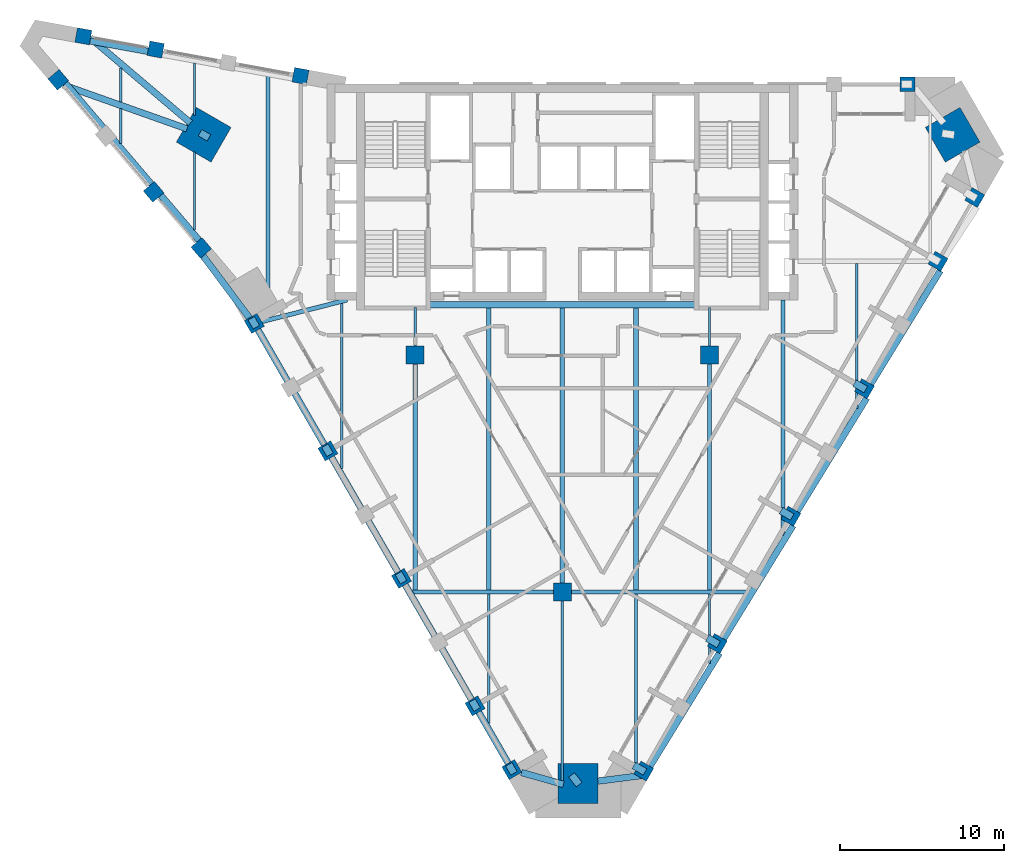
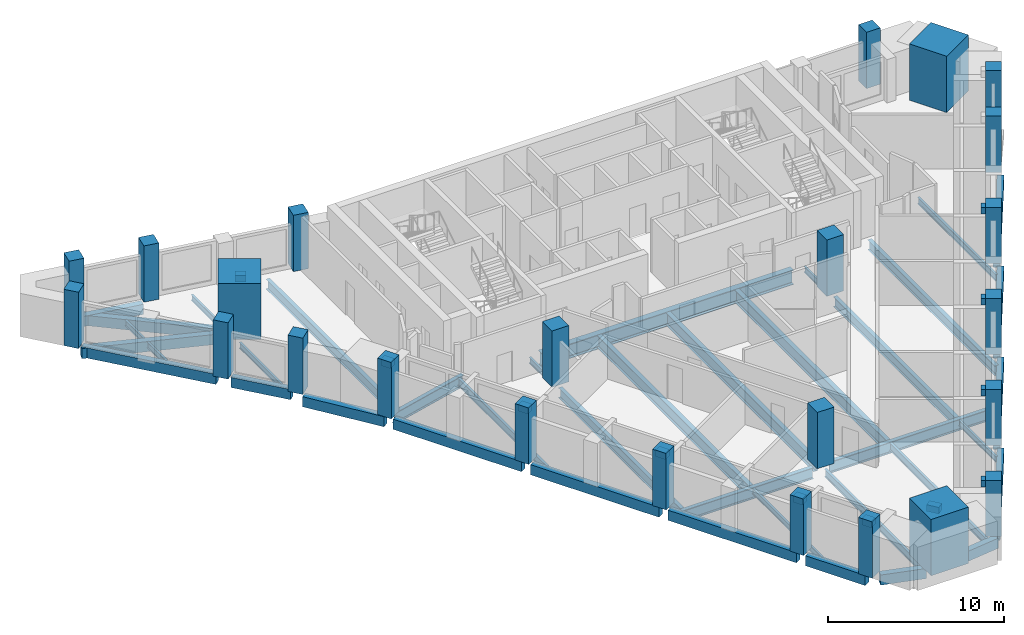
# One storey, part 1 of 9: 50 beams, 24 columns.
"""IFC4 building model written with IfcOpenShell, lengths in metres."""

from ifc_helpers import new_model, si_unit, direction, frame, origin, origin_2d, place, context, subcontext, project, spatial, rectangle, i_section, extrude, material, material_profile, profile_set, type_object, element, save


model = new_model("IFC4")

# Units and contexts
model_context = context("Model", 3, precision=1e-05, world=origin(), true_north=direction((0.0, 1.0)))
body_context = subcontext(model_context, "Body", "Model", "MODEL_VIEW")
ifc_project = project(units=[si_unit("LENGTHUNIT", "METRE"), si_unit("AREAUNIT", "SQUARE_METRE"), si_unit("VOLUMEUNIT", "CUBIC_METRE"), si_unit("PLANEANGLEUNIT", "RADIAN"), si_unit("MASSUNIT", "GRAM", prefix="KILO")], contexts=[model_context])

# Site, building, storey
site_placement = place(None, origin())
site = spatial("IfcSite", under=ifc_project, at=site_placement, CompositionType="ELEMENT")
building_placement = place(site_placement, origin())
building = spatial("IfcBuilding", under=site, at=building_placement, Name="Calabash Gate Tower", CompositionType="ELEMENT")
storey_placement = place(building_placement, frame((0.0, 0.0, 215.89990234375)))
storey = spatial("IfcBuildingStorey", under=building, at=storey_placement, Name="L51", CompositionType="ELEMENT", Elevation=215.89990234375)

# Columns
ifc_material_1 = material(Name="Concrete C60/75", Category="concrete")
ifc_material_profile_1 = material_profile(ifc_material_1, rectangle(XDim=1.10009765625, YDim=1.10009765625, at=origin_2d()))
ifc_profile_set_1 = profile_set([ifc_material_profile_1], Name="Concrete C60/75")
column_type_1 = type_object("IfcColumnType", Name="Interior column RC 1100x1100 Concrete C60/75", PredefinedType="COLUMN", material=ifc_profile_set_1)
for number, where, z_axis, x_axis, name in (
    (1, (-9.0, 2.5, 0.0), (0.0, 0.0, 1.0), (1.0, 0.0, 0.0), "Interior column L51 I0"),
    (2, (9.0, 2.5, 0.0), (0.0, 0.0, 1.0), (1.0, 0.0, 0.0), "Interior column L51 I1"),
    (3, (0.0, -12.0, 0.0), (0.0, 0.0, 1.0), (1.0, 0.0, 0.0), "Interior column L51 I2"),
):
    element("IfcColumn", number, at=place(storey_placement, frame(where, z_axis=z_axis, x_axis=x_axis)), inside=storey, type_object=column_type_1, Name=name, PredefinedType="COLUMN", context=body_context, shape_type="SweptSolid", body=[
        extrude(rectangle(XDim=1.10009765625, YDim=1.10009765625, at=origin_2d()), origin(), (0.0, 0.0, 1.0), 3.900146484375),
    ])
ifc_material_2 = material(Name="Concrete C70/85", Category="concrete")
ifc_material_profile_2 = material_profile(ifc_material_2, rectangle(XDim=2.449951171875, YDim=2.449951171875, at=origin_2d()))
ifc_profile_set_2 = profile_set([ifc_material_profile_2], Name="Concrete C70/85")
column_type_2 = type_object("IfcColumnType", Name="Mega column RC 2450x2450 Concrete C70/85", PredefinedType="COLUMN", material=ifc_profile_set_2)
for number, where, z_axis, x_axis, name in (
    (4, (-21.93310546875, 15.958984375, 0.0), (0.0, 0.0, 1.0), (0.866025386331, -0.50000003023, 0.0), "Mega column L51 NW"),
    (5, (23.868896484375, 15.958984375, 0.0), (0.0, 0.0, 1.0), (-0.866025386331, -0.50000003023, 0.0), "Mega column L51 NE"),
    (6, (0.968017578125, -23.70703125, 0.0), (0.0, 0.0, 1.0), (0.0, 1.0, 0.0), "Mega column L51 S"),
):
    element("IfcColumn", number, at=place(storey_placement, frame(where, z_axis=z_axis, x_axis=x_axis)), inside=storey, type_object=column_type_2, Name=name, PredefinedType="COLUMN", context=body_context, shape_type="SweptSolid", body=[
        extrude(rectangle(XDim=2.449951171875, YDim=2.449951171875, at=origin_2d()), origin(), (0.0, 0.0, 1.0), 3.900146484375),
    ])
ifc_material_3 = material(Name="Concrete C60/75", Category="concrete")
ifc_material_profile_3 = material_profile(ifc_material_3, rectangle(XDim=0.89990234375, YDim=0.89990234375, at=origin_2d()))
ifc_profile_set_3 = profile_set([ifc_material_profile_3], Name="Concrete C60/75")
column_type_3 = type_object("IfcColumnType", Name="Perimeter column RC 900x900 Concrete C60/75", PredefinedType="COLUMN", material=ifc_profile_set_3)
for number, where, z_axis, x_axis, name in (
    (7, (-18.840087890625, 4.4169921875, 0.0), (0.0, 0.0, 1.0), (0.499999984885, -0.866025412511, 0.0), "Perimeter column L51 P00"),
    (8, (-14.340087890625, -3.37890625, 0.0), (0.0, 0.0, 1.0), (0.499999984885, -0.866025412511, 0.0), "Perimeter column L51 P01"),
    (9, (-9.840087890625, -11.173095703125, 0.0), (0.0, 0.0, 1.0), (0.499999984885, -0.866025412511, 0.0), "Perimeter column L51 P02"),
    (10, (-5.340087890625, -18.967041015625, 0.0), (0.0, 0.0, 1.0), (0.499999984885, -0.866025412511, 0.0), "Perimeter column L51 P03"),
    (11, (-3.090087890625, -22.863037109375, 0.0), (0.0, 0.0, 1.0), (0.499999984885, -0.866025412511, 0.0), "Perimeter column L51 P25"),
    (12, (4.972900390625, -22.95703125, 0.0), (0.0, 0.0, 1.0), (0.5, 0.866025403784, 0.0), "Perimeter column L51 P08"),
    (13, (9.472900390625, -15.1630859375, 0.0), (0.0, 0.0, 1.0), (0.5, 0.866025403784, 0.0), "Perimeter column L51 P09"),
    (14, (13.972900390625, -7.368896484375, 0.0), (0.0, 0.0, 1.0), (0.5, 0.866025403784, 0.0), "Perimeter column L51 P10"),
    (15, (18.472900390625, 0.427001953125, 0.0), (0.0, 0.0, 1.0), (0.5, 0.866025403784, 0.0), "Perimeter column L51 P11"),
    (16, (22.972900390625, 8.218994140625, 0.0), (0.0, 0.0, 1.0), (0.5, 0.866025403784, 0.0), "Perimeter column L51 P12"),
    (17, (25.222900390625, 12.116943359375, 0.0), (0.0, 0.0, 1.0), (0.5, 0.866025403784, 0.0), "Perimeter column L51 P13"),
    (18, (21.111083984375, 19.052978515625, 0.0), (0.0, 0.0, 1.0), (-1.0, 0.0, 0.0), "Perimeter column L51 P24"),
    (19, (-16.012939453125, 19.551025390625, 0.0), (0.0, 0.0, 1.0), (-0.983669930074, 0.179981856499, 0.0), "Perimeter column L51 P31"),
    (20, (-24.865966796875, 21.1708984375, 0.0), (0.0, 0.0, 1.0), (-0.983669930074, 0.179981856499, 0.0), "Perimeter column L51 P32"),
    (21, (-29.29296875, 21.97998046875, 0.0), (0.0, 0.0, 1.0), (-0.983669930074, 0.179981856499, 0.0), "Perimeter column L51 P33"),
    (22, (-30.827880859375, 19.322021484375, 0.0), (0.0, 0.0, 1.0), (0.647703824985, -0.761892220133, 0.0), "Perimeter column L51 P34"),
    (23, (-24.998046875, 12.467041015625, 0.0), (0.0, 0.0, 1.0), (0.647703824985, -0.761892220133, 0.0), "Perimeter column L51 P20"),
    (24, (-22.083984375, 9.037109375, 0.0), (0.0, 0.0, 1.0), (0.647703824985, -0.761892220133, 0.0), "Perimeter column L51 P35"),
):
    element("IfcColumn", number, at=place(storey_placement, frame(where, z_axis=z_axis, x_axis=x_axis)), inside=storey, type_object=column_type_3, Name=name, PredefinedType="COLUMN", context=body_context, shape_type="SweptSolid", body=[
        extrude(rectangle(XDim=0.89990234375, YDim=0.89990234375, at=origin_2d()), origin(), (0.0, 0.0, 1.0), 3.900146484375),
    ])

# Beams
ifc_material_4 = material(Name="Concrete C80/95", Category="concrete")
ifc_material_profile_4 = material_profile(ifc_material_4, rectangle(XDim=0.449951171875, YDim=0.449951171875, at=origin_2d()))
ifc_profile_set_4 = profile_set([ifc_material_profile_4], Name="Concrete C80/95")
beam_type_1 = type_object("IfcBeamType", Name="Column offset link RC 450x450 Concrete C80/95", PredefinedType="BEAM", material=ifc_profile_set_4)
beam_1_placement = place(storey_placement, frame((-21.611083984375, 15.77294921875, 3.504150390625), z_axis=(-0.865797853931, 0.500393920955, 0.0), x_axis=(-0.500393920955, -0.865797853931, 0.0)))
element("IfcBeam", 25, at=beam_1_placement, inside=storey, type_object=beam_type_1, Name="Column offset link L51 NW", PredefinedType="BEAM", context=body_context, shape_type="SweptSolid", body=[
    extrude(rectangle(XDim=0.449951171875, YDim=0.449951171875, at=origin_2d()), origin(), (0.0, 0.0, 1.0), 0.62939453125),
])
for number, where, z_axis, x_axis, name in (
    (26, (-18.708984375, 4.18701171875, 3.504150390625), (-0.49972245349, 0.866185586049, 0.0), (-0.866185586049, -0.49972245349, 0.0), "Column offset link L51 P00"),
    (27, (-14.208984375, -3.60693359375, 3.504150390625), (-0.49972245349, 0.866185586049, 0.0), (-0.866185586049, -0.49972245349, 0.0), "Column offset link L51 P01"),
):
    element("IfcBeam", number, at=place(storey_placement, frame(where, z_axis=z_axis, x_axis=x_axis)), inside=storey, type_object=beam_type_1, Name=name, PredefinedType="BEAM", context=body_context, shape_type="SweptSolid", body=[
        extrude(rectangle(XDim=0.449951171875, YDim=0.449951171875, at=origin_2d()), origin(), (0.0, 0.0, 1.0), 0.630126953125),
    ])
beam_2_placement = place(storey_placement, frame((-9.708984375, -11.40087890625, 3.504150390625), z_axis=(-0.498384017366, 0.866956383698, 0.0), x_axis=(-0.866956383698, -0.498384017366, 0.0)))
element("IfcBeam", 28, at=beam_2_placement, inside=storey, type_object=beam_type_1, Name="Column offset link L51 P02", PredefinedType="BEAM", context=body_context, shape_type="SweptSolid", body=[
    extrude(rectangle(XDim=0.449951171875, YDim=0.449951171875, at=origin_2d()), origin(), (0.0, 0.0, 1.0), 0.6318359375),
])
beam_3_placement = place(storey_placement, frame((-5.208984375, -19.193115234375, 3.504150390625), z_axis=(-0.50157261127, 0.865115550446, 0.0), x_axis=(-0.865115550446, -0.50157261127, 0.0)))
element("IfcBeam", 29, at=beam_3_placement, inside=storey, type_object=beam_type_1, Name="Column offset link L51 P03", PredefinedType="BEAM", context=body_context, shape_type="SweptSolid", body=[
    extrude(rectangle(XDim=0.449951171875, YDim=0.449951171875, at=origin_2d()), origin(), (0.0, 0.0, 1.0), 0.6279296875),
])
for number, where, z_axis, x_axis, name in (
    (30, (5.05908203125, -23.007080078125, 3.504150390625), (-0.866072678707, 0.499918108492, 0.0), (-0.499918108492, -0.866072678707, 0.0), "Column offset link L51 P08"),
    (31, (9.55908203125, -15.212890625, 3.504150390625), (-0.866072678707, 0.499918108492, 0.0), (-0.499918108492, -0.866072678707, 0.0), "Column offset link L51 P09"),
    (32, (14.05908203125, -7.4189453125, 3.504150390625), (-0.866072678707, 0.499918108492, 0.0), (-0.499918108492, -0.866072678707, 0.0), "Column offset link L51 P10"),
):
    element("IfcBeam", number, at=place(storey_placement, frame(where, z_axis=z_axis, x_axis=x_axis)), inside=storey, type_object=beam_type_1, Name=name, PredefinedType="BEAM", context=body_context, shape_type="SweptSolid", body=[
        extrude(rectangle(XDim=0.449951171875, YDim=0.449951171875, at=origin_2d()), origin(), (0.0, 0.0, 1.0), 0.792236328125),
    ])
beam_4_placement = place(storey_placement, frame((18.55908203125, 0.376953125, 3.504150390625), z_axis=(-0.866606291963, 0.498992519714, 0.0), x_axis=(-0.498992519714, -0.866606291963, 0.0)))
element("IfcBeam", 33, at=beam_4_placement, inside=storey, type_object=beam_type_1, Name="Column offset link L51 P11", PredefinedType="BEAM", context=body_context, shape_type="SweptSolid", body=[
    extrude(rectangle(XDim=0.449951171875, YDim=0.449951171875, at=origin_2d()), origin(), (0.0, 0.0, 1.0), 0.791748046875),
])
beam_5_placement = place(storey_placement, frame((-2.958984375, -23.092041015625, 3.504150390625), z_axis=(-0.500393920955, 0.865797853931, 0.0), x_axis=(-0.865797853931, -0.500393920955, 0.0)))
element("IfcBeam", 34, at=beam_5_placement, inside=storey, type_object=beam_type_1, Name="Column offset link L51 P25", PredefinedType="BEAM", context=body_context, shape_type="SweptSolid", body=[
    extrude(rectangle(XDim=0.449951171875, YDim=0.449951171875, at=origin_2d()), origin(), (0.0, 0.0, 1.0), 0.62939453125),
])
beam_6_placement = place(storey_placement, frame((1.030029296875, -23.782958984375, 3.504150390625), z_axis=(-0.619970659596, 0.78462499402, 0.0), x_axis=(-0.78462499402, -0.619970659596, 0.0)))
element("IfcBeam", 35, at=beam_6_placement, inside=storey, type_object=beam_type_1, Name="Column offset link L51 S", PredefinedType="BEAM", context=body_context, shape_type="SweptSolid", body=[
    extrude(rectangle(XDim=0.449951171875, YDim=0.449951171875, at=origin_2d()), origin(), (0.0, 0.0, 1.0), 0.751708984375),
])
ifc_material_5 = material(Name="Concrete C50/60", Category="concrete")
ifc_material_profile_5 = material_profile(ifc_material_5, rectangle(XDim=0.39990234375, YDim=0.699951171875, at=origin_2d()))
ifc_profile_set_5 = profile_set([ifc_material_profile_5], Name="Concrete C50/60")
beam_type_2 = type_object("IfcBeamType", Name="Edge beam RC 400x700 Concrete C50/60", PredefinedType="BEAM", material=ifc_profile_set_5)
beam_7_placement = place(storey_placement, frame((-14.1279296875, -3.7470703125, -0.52001953125), z_axis=(0.500069781462, -0.86598511169, 0.0), x_axis=(0.86598511169, 0.500069781462, 0.0)))
element("IfcBeam", 36, at=beam_7_placement, inside=storey, type_object=beam_type_2, Name="Edge beam L51 1", PredefinedType="BEAM", context=body_context, shape_type="SweptSolid", body=[
    extrude(rectangle(XDim=0.39990234375, YDim=0.699951171875, at=origin_2d()), origin(), (0.0, 0.0, 1.0), 8.416748046875),
])
beam_8_placement = place(storey_placement, frame((-9.6279296875, -11.541015625, -0.52001953125), z_axis=(0.500006981563, -0.86602137294, 0.0), x_axis=(0.86602137294, 0.500006981563, 0.0)))
element("IfcBeam", 37, at=beam_8_placement, inside=storey, type_object=beam_type_2, Name="Edge beam L51 2", PredefinedType="BEAM", context=body_context, shape_type="SweptSolid", body=[
    extrude(rectangle(XDim=0.39990234375, YDim=0.699951171875, at=origin_2d()), origin(), (0.0, 0.0, 1.0), 8.41796875),
])
beam_9_placement = place(storey_placement, frame((-5.1279296875, -19.3330078125, -0.52001953125), z_axis=(0.499783563124, -0.866150327617, 0.0), x_axis=(0.866150327617, 0.499783563124, 0.0)))
element("IfcBeam", 38, at=beam_9_placement, inside=storey, type_object=beam_type_2, Name="Edge beam L51 3", PredefinedType="BEAM", context=body_context, shape_type="SweptSolid", body=[
    extrude(rectangle(XDim=0.39990234375, YDim=0.699951171875, at=origin_2d()), origin(), (0.0, 0.0, 1.0), 3.919677734375),
])
beam_10_placement = place(storey_placement, frame((-2.511962890625, -23.0390625, -0.52001953125), z_axis=(0.961954903089, -0.273208280299, 0.0), x_axis=(0.273208280299, 0.961954903089, 0.0)))
element("IfcBeam", 39, at=beam_10_placement, inside=storey, type_object=beam_type_2, Name="Edge beam L51 4", PredefinedType="BEAM", context=body_context, shape_type="SweptSolid", body=[
    extrude(rectangle(XDim=0.39990234375, YDim=0.699951171875, at=origin_2d()), origin(), (0.0, 0.0, 1.0), 2.686279296875),
])
beam_11_placement = place(storey_placement, frame((2.172119140625, -23.572998046875, -0.52001953125), z_axis=(0.991784485926, 0.127920027662, 0.0), x_axis=(-0.127920027662, 0.991784485926, 0.0)))
element("IfcBeam", 40, at=beam_11_placement, inside=storey, type_object=beam_type_2, Name="Edge beam L51 5", PredefinedType="BEAM", context=body_context, shape_type="SweptSolid", body=[
    extrude(rectangle(XDim=0.39990234375, YDim=0.699951171875, at=origin_2d()), origin(), (0.0, 0.0, 1.0), 2.86865234375),
])
beam_12_placement = place(storey_placement, frame((5.35009765625, -22.680908203125, -0.52001953125), z_axis=(0.522678714297, 0.852529742367, 0.0), x_axis=(-0.852529742367, 0.522678714297, 0.0)))
element("IfcBeam", 41, at=beam_12_placement, inside=storey, type_object=beam_type_2, Name="Edge beam L51 6", PredefinedType="BEAM", context=body_context, shape_type="SweptSolid", body=[
    extrude(rectangle(XDim=0.39990234375, YDim=0.699951171875, at=origin_2d()), origin(), (0.0, 0.0, 1.0), 8.146240234375),
])
for number, where, z_axis, x_axis, name in (
    (42, (9.85009765625, -14.886962890625, -0.52001953125), (0.522611947946, 0.85257067265, 0.0), (-0.85257067265, 0.522611947946, 0.0), "Edge beam L51 7"),
    (43, (14.35009765625, -7.093017578125, -0.52001953125), (0.522611947946, 0.85257067265, 0.0), (-0.85257067265, 0.522611947946, 0.0), "Edge beam L51 8"),
    (44, (18.85009765625, 0.700927734375, -0.52001953125), (0.522611947946, 0.85257067265, 0.0), (-0.85257067265, 0.522611947946, 0.0), "Edge beam L51 9"),
):
    element("IfcBeam", number, at=place(storey_placement, frame(where, z_axis=z_axis, x_axis=x_axis)), inside=storey, type_object=beam_type_2, Name=name, PredefinedType="BEAM", context=body_context, shape_type="SweptSolid", body=[
        extrude(rectangle(XDim=0.39990234375, YDim=0.699951171875, at=origin_2d()), origin(), (0.0, 0.0, 1.0), 8.147216796875),
    ])
beam_13_placement = place(storey_placement, frame((-25.343017578125, 21.056884765625, -0.52001953125), z_axis=(-0.983780846892, 0.179374594879, 0.0), x_axis=(-0.179374594879, -0.983780846892, 0.0)))
element("IfcBeam", 45, at=beam_13_placement, inside=storey, type_object=beam_type_2, Name="Edge beam L51 14", PredefinedType="BEAM", context=body_context, shape_type="SweptSolid", body=[
    extrude(rectangle(XDim=0.39990234375, YDim=0.699951171875, at=origin_2d()), origin(), (0.0, 0.0, 1.0), 3.601318359375),
])
beam_14_placement = place(storey_placement, frame((-28.8720703125, 21.885986328125, -0.52001953125), z_axis=(0.762422414558, -0.647079640987, 0.0), x_axis=(0.647079640987, 0.762422414558, 0.0)))
element("IfcBeam", 46, at=beam_14_placement, inside=storey, type_object=beam_type_2, Name="Edge beam L51 15", PredefinedType="BEAM", context=body_context, shape_type="SweptSolid", body=[
    extrude(rectangle(XDim=0.39990234375, YDim=0.699951171875, at=origin_2d()), origin(), (0.0, 0.0, 1.0), 8.0390625),
])
beam_15_placement = place(storey_placement, frame((-22.952880859375, 16.320068359375, -0.52001953125), z_axis=(-0.942585027274, 0.333966265299, 0.0), x_axis=(-0.333966265299, -0.942585027274, 0.0)))
element("IfcBeam", 47, at=beam_15_placement, inside=storey, type_object=beam_type_2, Name="Edge beam L51 16", PredefinedType="BEAM", context=body_context, shape_type="SweptSolid", body=[
    extrude(rectangle(XDim=0.39990234375, YDim=0.699951171875, at=origin_2d()), origin(), (0.0, 0.0, 1.0), 8.042724609375),
])
beam_16_placement = place(storey_placement, frame((-30.384033203125, 19.10888671875, -0.52001953125), z_axis=(0.647777896435, -0.761829243919, 0.0), x_axis=(0.761829243919, 0.647777896435, 0.0)))
element("IfcBeam", 48, at=beam_16_placement, inside=storey, type_object=beam_type_2, Name="Edge beam L51 17", PredefinedType="BEAM", context=body_context, shape_type="SweptSolid", body=[
    extrude(rectangle(XDim=0.39990234375, YDim=0.699951171875, at=origin_2d()), origin(), (0.0, 0.0, 1.0), 8.10009765625),
])
beam_17_placement = place(storey_placement, frame((-24.553955078125, 12.251953125, -0.52001953125), z_axis=(0.647579511056, -0.761997885076, 0.0), x_axis=(0.761997885076, 0.647579511056, 0.0)))
element("IfcBeam", 49, at=beam_17_placement, inside=storey, type_object=beam_type_2, Name="Edge beam L51 18", PredefinedType="BEAM", context=body_context, shape_type="SweptSolid", body=[
    extrude(rectangle(XDim=0.39990234375, YDim=0.699951171875, at=origin_2d()), origin(), (0.0, 0.0, 1.0), 3.599609375),
])
beam_18_placement = place(storey_placement, frame((-21.97900390625, 8.56396484375, -0.52001953125), z_axis=(0.598719792609, -0.800958556941, 0.0), x_axis=(0.800958556941, 0.598719792609, 0.0)))
element("IfcBeam", 50, at=beam_18_placement, inside=storey, type_object=beam_type_2, Name="Edge beam L51 19", PredefinedType="BEAM", context=body_context, shape_type="SweptSolid", body=[
    extrude(rectangle(XDim=0.39990234375, YDim=0.699951171875, at=origin_2d()), origin(), (0.0, 0.0, 1.0), 5.03759765625),
])
beam_19_placement = place(storey_placement, frame((-18.6279296875, 4.047119140625, -0.52001953125), z_axis=(0.50005722043, -0.865992365033, 0.0), x_axis=(0.865992365033, 0.50005722043, 0.0)))
element("IfcBeam", 51, at=beam_19_placement, inside=storey, type_object=beam_type_2, Name="Edge beam L51 20", PredefinedType="BEAM", context=body_context, shape_type="SweptSolid", body=[
    extrude(rectangle(XDim=0.39990234375, YDim=0.699951171875, at=origin_2d()), origin(), (0.0, 0.0, 1.0), 8.4169921875),
])
ifc_material_6 = material(Name="Steel ASTM A992 Gr50", Category="steel")
ifc_material_profile_6 = material_profile(ifc_material_6, i_section(OverallWidth=0.1396484375, OverallDepth=0.398681640625, WebThickness=0.00634765625, FlangeThickness=0.0087890625, FilletRadius=0.01025390625, at=origin_2d()))
ifc_profile_set_6 = profile_set([ifc_material_profile_6], Name="Steel ASTM A992 Gr50")
beam_type_3 = type_object("IfcBeamType", Name="Floor beam W16x26 ASTM A992 Gr50", PredefinedType="BEAM", material=ifc_profile_set_6)
beam_20_placement = place(storey_placement, frame((-27.0, 15.416015625, -0.368896484375), z_axis=(0.0, 1.0, 0.0), x_axis=(-1.0, 0.0, 0.0)))
element("IfcBeam", 52, at=beam_20_placement, inside=storey, type_object=beam_type_3, Name="Floor beam L51 1", PredefinedType="BEAM", context=body_context, shape_type="SweptSolid", body=[
    extrude(i_section(OverallWidth=0.1396484375, OverallDepth=0.398681640625, WebThickness=0.00634765625, FlangeThickness=0.0087890625, FilletRadius=0.01025390625, at=origin_2d()), origin(), (0.0, 0.0, 1.0), 2.136962890625),
])
beam_21_placement = place(storey_placement, frame((-27.0, 17.9541015625, -0.368896484375), z_axis=(0.0, 1.0, 0.0), x_axis=(-1.0, 0.0, 0.0)))
element("IfcBeam", 53, at=beam_21_placement, inside=storey, type_object=beam_type_3, Name="Floor beam L51 2", PredefinedType="BEAM", context=body_context, shape_type="SweptSolid", body=[
    extrude(i_section(OverallWidth=0.1396484375, OverallDepth=0.398681640625, WebThickness=0.00634765625, FlangeThickness=0.0087890625, FilletRadius=0.01025390625, at=origin_2d()), origin(), (0.0, 0.0, 1.0), 2.101806640625),
])
beam_22_placement = place(storey_placement, frame((-22.5, 10.1220703125, -0.368896484375), z_axis=(0.0, 1.0, 0.0), x_axis=(-1.0, 0.0, 0.0)))
element("IfcBeam", 54, at=beam_22_placement, inside=storey, type_object=beam_type_3, Name="Floor beam L51 3", PredefinedType="BEAM", context=body_context, shape_type="SweptSolid", body=[
    extrude(i_section(OverallWidth=0.1396484375, OverallDepth=0.398681640625, WebThickness=0.00634765625, FlangeThickness=0.0087890625, FilletRadius=0.01025390625, at=origin_2d()), origin(), (0.0, 0.0, 1.0), 4.77490234375),
])
beam_23_placement = place(storey_placement, frame((-22.5, 17.14697265625, -0.368896484375), z_axis=(0.0, 1.0, 0.0), x_axis=(-1.0, 0.0, 0.0)))
element("IfcBeam", 55, at=beam_23_placement, inside=storey, type_object=beam_type_3, Name="Floor beam L51 4", PredefinedType="BEAM", context=body_context, shape_type="SweptSolid", body=[
    extrude(i_section(OverallWidth=0.1396484375, OverallDepth=0.398681640625, WebThickness=0.00634765625, FlangeThickness=0.0087890625, FilletRadius=0.01025390625, at=origin_2d()), origin(), (0.0, 0.0, 1.0), 3.216064453125),
])
beam_24_placement = place(storey_placement, frame((-9.0, 3.050048828125, -0.368896484375), z_axis=(0.0, 1.0, 0.0), x_axis=(-1.0, 0.0, 0.0)))
element("IfcBeam", 56, at=beam_24_placement, inside=storey, type_object=beam_type_3, Name="Floor beam L51 8", PredefinedType="BEAM", context=body_context, shape_type="SweptSolid", body=[
    extrude(i_section(OverallWidth=0.1396484375, OverallDepth=0.398681640625, WebThickness=0.00634765625, FlangeThickness=0.0087890625, FilletRadius=0.01025390625, at=origin_2d()), origin(), (0.0, 0.0, 1.0), 2.35302734375),
])
beam_25_placement = place(storey_placement, frame((-4.5, -20.033935546875, -0.368896484375), z_axis=(0.0, 1.0, 0.0), x_axis=(-1.0, 0.0, 0.0)))
element("IfcBeam", 57, at=beam_25_placement, inside=storey, type_object=beam_type_3, Name="Floor beam L51 9", PredefinedType="BEAM", context=body_context, shape_type="SweptSolid", body=[
    extrude(i_section(OverallWidth=0.1396484375, OverallDepth=0.398681640625, WebThickness=0.00634765625, FlangeThickness=0.0087890625, FilletRadius=0.01025390625, at=origin_2d()), origin(), (0.0, 0.0, 1.0), 7.90087890625),
])
beam_26_placement = place(storey_placement, frame((9.0, -16.3740234375, -0.368896484375), z_axis=(0.0, 1.0, 0.0), x_axis=(-1.0, 0.0, 0.0)))
element("IfcBeam", 58, at=beam_26_placement, inside=storey, type_object=beam_type_3, Name="Floor beam L51 15", PredefinedType="BEAM", context=body_context, shape_type="SweptSolid", body=[
    extrude(i_section(OverallWidth=0.1396484375, OverallDepth=0.398681640625, WebThickness=0.00634765625, FlangeThickness=0.0087890625, FilletRadius=0.01025390625, at=origin_2d()), origin(), (0.0, 0.0, 1.0), 4.240966796875),
])
beam_27_placement = place(storey_placement, frame((9.0, 3.050048828125, -0.368896484375), z_axis=(0.0, 1.0, 0.0), x_axis=(-1.0, 0.0, 0.0)))
element("IfcBeam", 59, at=beam_27_placement, inside=storey, type_object=beam_type_3, Name="Floor beam L51 17", PredefinedType="BEAM", context=body_context, shape_type="SweptSolid", body=[
    extrude(i_section(OverallWidth=0.1396484375, OverallDepth=0.398681640625, WebThickness=0.00634765625, FlangeThickness=0.0087890625, FilletRadius=0.01025390625, at=origin_2d()), origin(), (0.0, 0.0, 1.0), 2.35302734375),
])
ifc_material_7 = material(Name="Steel ASTM A992 Gr50", Category="steel")
ifc_material_profile_7 = material_profile(ifc_material_7, i_section(OverallWidth=0.15234375, OverallDepth=0.44970703125, WebThickness=0.007568359375, FlangeThickness=0.0107421875, FilletRadius=0.01025390625, at=origin_2d()))
ifc_profile_set_7 = profile_set([ifc_material_profile_7], Name="Steel ASTM A992 Gr50")
beam_type_4 = type_object("IfcBeamType", Name="Floor beam W18x35 ASTM A992 Gr50", PredefinedType="BEAM", material=ifc_profile_set_7)
beam_28_placement = place(storey_placement, frame((18.0, -0.782958984375, -0.392822265625), z_axis=(0.0, 1.0, 0.0), x_axis=(-1.0, 0.0, 0.0)))
element("IfcBeam", 60, at=beam_28_placement, inside=storey, type_object=beam_type_4, Name="Floor beam L51 19", PredefinedType="BEAM", context=body_context, shape_type="SweptSolid", body=[
    extrude(i_section(OverallWidth=0.15234375, OverallDepth=0.44970703125, WebThickness=0.007568359375, FlangeThickness=0.0107421875, FilletRadius=0.01025390625, at=origin_2d()), origin(), (0.0, 0.0, 1.0), 8.868896484375),
])
ifc_material_8 = material(Name="Steel ASTM A992 Gr50", Category="steel")
ifc_material_profile_8 = material_profile(ifc_material_8, i_section(OverallWidth=0.166015625, OverallDepth=0.5283203125, WebThickness=0.009765625, FlangeThickness=0.013671875, FilletRadius=0.0126953125, at=origin_2d()))
ifc_profile_set_8 = profile_set([ifc_material_profile_8], Name="Steel ASTM A992 Gr50")
beam_type_5 = type_object("IfcBeamType", Name="Floor beam W21x50 ASTM A992 Gr50", PredefinedType="BEAM", material=ifc_profile_set_8)
beam_29_placement = place(storey_placement, frame((-13.5, -4.446044921875, -0.433837890625), z_axis=(0.0, 1.0, 0.0), x_axis=(-1.0, 0.0, 0.0)))
element("IfcBeam", 61, at=beam_29_placement, inside=storey, type_object=beam_type_5, Name="Floor beam L51 6", PredefinedType="BEAM", context=body_context, shape_type="SweptSolid", body=[
    extrude(i_section(OverallWidth=0.166015625, OverallDepth=0.5283203125, WebThickness=0.009765625, FlangeThickness=0.013671875, FilletRadius=0.0126953125, at=origin_2d()), origin(), (0.0, 0.0, 1.0), 10.10205078125),
])
beam_30_placement = place(storey_placement, frame((0.0, -23.573974609375, -0.433837890625), z_axis=(0.0, 1.0, 0.0), x_axis=(-1.0, 0.0, 0.0)))
element("IfcBeam", 62, at=beam_30_placement, inside=storey, type_object=beam_type_5, Name="Floor beam L51 11", PredefinedType="BEAM", context=body_context, shape_type="SweptSolid", body=[
    extrude(i_section(OverallWidth=0.166015625, OverallDepth=0.5283203125, WebThickness=0.009765625, FlangeThickness=0.013671875, FilletRadius=0.0126953125, at=origin_2d()), origin(), (0.0, 0.0, 1.0), 11.02392578125),
])
beam_31_placement = place(storey_placement, frame((4.5, -23.087890625, -0.433837890625), z_axis=(0.0, 1.0, 0.0), x_axis=(-1.0, 0.0, 0.0)))
element("IfcBeam", 63, at=beam_31_placement, inside=storey, type_object=beam_type_5, Name="Floor beam L51 13", PredefinedType="BEAM", context=body_context, shape_type="SweptSolid", body=[
    extrude(i_section(OverallWidth=0.166015625, OverallDepth=0.5283203125, WebThickness=0.009765625, FlangeThickness=0.013671875, FilletRadius=0.0126953125, at=origin_2d()), origin(), (0.0, 0.0, 1.0), 10.954833984375),
])
ifc_material_9 = material(Name="Steel ASTM A992 Gr50", Category="steel")
ifc_material_profile_9 = material_profile(ifc_material_9, i_section(OverallWidth=0.25390625, OverallDepth=0.67822265625, WebThickness=0.01171875, FlangeThickness=0.016357421875, FilletRadius=0.01513671875, at=origin_2d()))
ifc_profile_set_9 = profile_set([ifc_material_profile_9], Name="Steel ASTM A992 Gr50")
beam_type_6 = type_object("IfcBeamType", Name="Floor beam W27x84 ASTM A992 Gr50", PredefinedType="BEAM", material=ifc_profile_set_9)
beam_32_placement = place(storey_placement, frame((-18.0, 4.743896484375, -0.5087890625), z_axis=(0.0, 1.0, 0.0), x_axis=(-1.0, 0.0, 0.0)))
element("IfcBeam", 64, at=beam_32_placement, inside=storey, type_object=beam_type_6, Name="Floor beam L51 5", PredefinedType="BEAM", context=body_context, shape_type="SweptSolid", body=[
    extrude(i_section(OverallWidth=0.25390625, OverallDepth=0.67822265625, WebThickness=0.01171875, FlangeThickness=0.016357421875, FilletRadius=0.01513671875, at=origin_2d()), origin(), (0.0, 0.0, 1.0), 14.796142578125),
])
beam_33_placement = place(storey_placement, frame((-9.0, -11.8798828125, -0.5087890625), z_axis=(0.0, 1.0, 0.0), x_axis=(-1.0, 0.0, 0.0)))
element("IfcBeam", 65, at=beam_33_placement, inside=storey, type_object=beam_type_6, Name="Floor beam L51 7", PredefinedType="BEAM", context=body_context, shape_type="SweptSolid", body=[
    extrude(i_section(OverallWidth=0.25390625, OverallDepth=0.67822265625, WebThickness=0.01171875, FlangeThickness=0.016357421875, FilletRadius=0.01513671875, at=origin_2d()), origin(), (0.0, 0.0, 1.0), 13.829833984375),
])
beam_34_placement = place(storey_placement, frame((9.0, -11.866943359375, -0.5087890625), z_axis=(0.0, 1.0, 0.0), x_axis=(-1.0, 0.0, 0.0)))
element("IfcBeam", 66, at=beam_34_placement, inside=storey, type_object=beam_type_6, Name="Floor beam L51 16", PredefinedType="BEAM", context=body_context, shape_type="SweptSolid", body=[
    extrude(i_section(OverallWidth=0.25390625, OverallDepth=0.67822265625, WebThickness=0.01171875, FlangeThickness=0.016357421875, FilletRadius=0.01513671875, at=origin_2d()), origin(), (0.0, 0.0, 1.0), 13.81689453125),
])
beam_35_placement = place(storey_placement, frame((13.5, -8.580078125, -0.5087890625), z_axis=(0.0, 1.0, 0.0), x_axis=(-1.0, 0.0, 0.0)))
element("IfcBeam", 67, at=beam_35_placement, inside=storey, type_object=beam_type_6, Name="Floor beam L51 18", PredefinedType="BEAM", context=body_context, shape_type="SweptSolid", body=[
    extrude(i_section(OverallWidth=0.25390625, OverallDepth=0.67822265625, WebThickness=0.01171875, FlangeThickness=0.016357421875, FilletRadius=0.01513671875, at=origin_2d()), origin(), (0.0, 0.0, 1.0), 14.43310546875),
])
ifc_material_10 = material(Name="Steel ASTM A992 Gr50", Category="steel")
ifc_material_profile_10 = material_profile(ifc_material_10, i_section(OverallWidth=0.2919921875, OverallDepth=0.845703125, WebThickness=0.015380859375, FlangeThickness=0.0244140625, FilletRadius=0.017822265625, at=origin_2d()))
ifc_profile_set_10 = profile_set([ifc_material_profile_10], Name="Steel ASTM A992 Gr50")
beam_type_7 = type_object("IfcBeamType", Name="Floor beam W33x141 ASTM A992 Gr50", PredefinedType="BEAM", material=ifc_profile_set_10)
beam_36_placement = place(storey_placement, frame((-4.5, -11.866943359375, -0.593017578125), z_axis=(0.0, 1.0, 0.0), x_axis=(-1.0, 0.0, 0.0)))
element("IfcBeam", 68, at=beam_36_placement, inside=storey, type_object=beam_type_7, Name="Floor beam L51 10", PredefinedType="BEAM", context=body_context, shape_type="SweptSolid", body=[
    extrude(i_section(OverallWidth=0.2919921875, OverallDepth=0.845703125, WebThickness=0.015380859375, FlangeThickness=0.0244140625, FilletRadius=0.017822265625, at=origin_2d()), origin(), (0.0, 0.0, 1.0), 17.218994140625),
])
beam_37_placement = place(storey_placement, frame((0.0, -11.449951171875, -0.593017578125), z_axis=(0.0, 1.0, 0.0), x_axis=(-1.0, 0.0, 0.0)))
element("IfcBeam", 69, at=beam_37_placement, inside=storey, type_object=beam_type_7, Name="Floor beam L51 12", PredefinedType="BEAM", context=body_context, shape_type="SweptSolid", body=[
    extrude(i_section(OverallWidth=0.2919921875, OverallDepth=0.845703125, WebThickness=0.015380859375, FlangeThickness=0.0244140625, FilletRadius=0.017822265625, at=origin_2d()), origin(), (0.0, 0.0, 1.0), 16.802001953125),
])
beam_38_placement = place(storey_placement, frame((4.5, -11.866943359375, -0.593017578125), z_axis=(0.0, 1.0, 0.0), x_axis=(-1.0, 0.0, 0.0)))
element("IfcBeam", 70, at=beam_38_placement, inside=storey, type_object=beam_type_7, Name="Floor beam L51 14", PredefinedType="BEAM", context=body_context, shape_type="SweptSolid", body=[
    extrude(i_section(OverallWidth=0.2919921875, OverallDepth=0.845703125, WebThickness=0.015380859375, FlangeThickness=0.0244140625, FilletRadius=0.017822265625, at=origin_2d()), origin(), (0.0, 0.0, 1.0), 17.218994140625),
])
ifc_material_11 = material(Name="Steel ASTM A992 Gr50", Category="steel")
ifc_material_profile_11 = material_profile(ifc_material_11, i_section(OverallWidth=0.2666015625, OverallDepth=0.77978515625, WebThickness=0.0166015625, FlangeThickness=0.030029296875, FilletRadius=0.0166015625, at=origin_2d()))
ifc_profile_set_11 = profile_set([ifc_material_profile_11], Name="Steel ASTM A992 Gr50")
beam_type_8 = type_object("IfcBeamType", Name="Girder W30x148 ASTM A992 Gr50", PredefinedType="BEAM", material=ifc_profile_set_11)
beam_39_placement = place(storey_placement, frame((-18.41796875, 4.52197265625, -0.559814453125), z_axis=(0.969206223725, 0.246250473893, 0.0), x_axis=(-0.246250473893, 0.969206223725, 0.0)))
element("IfcBeam", 71, at=beam_39_placement, inside=storey, type_object=beam_type_8, Name="Girder L51 2", PredefinedType="BEAM", context=body_context, shape_type="SweptSolid", body=[
    extrude(i_section(OverallWidth=0.2666015625, OverallDepth=0.77978515625, WebThickness=0.0166015625, FlangeThickness=0.030029296875, FilletRadius=0.0166015625, at=origin_2d()), origin(), (0.0, 0.0, 1.0), 5.425048828125),
])
beam_40_placement = place(storey_placement, frame((-9.153076171875, -12.0, -0.559814453125), z_axis=(1.0, 0.0, 0.0), x_axis=(0.0, 1.0, 0.0)))
element("IfcBeam", 72, at=beam_40_placement, inside=storey, type_object=beam_type_8, Name="Girder L51 4", PredefinedType="BEAM", context=body_context, shape_type="SweptSolid", body=[
    extrude(i_section(OverallWidth=0.2666015625, OverallDepth=0.77978515625, WebThickness=0.0166015625, FlangeThickness=0.030029296875, FilletRadius=0.0166015625, at=origin_2d()), origin(), (0.0, 0.0, 1.0), 8.60302734375),
])
beam_41_placement = place(storey_placement, frame((0.550048828125, -12.0, -0.559814453125), z_axis=(1.0, 0.0, 0.0), x_axis=(0.0, 1.0, 0.0)))
element("IfcBeam", 73, at=beam_41_placement, inside=storey, type_object=beam_type_8, Name="Girder L51 5", PredefinedType="BEAM", context=body_context, shape_type="SweptSolid", body=[
    extrude(i_section(OverallWidth=0.2666015625, OverallDepth=0.77978515625, WebThickness=0.0166015625, FlangeThickness=0.030029296875, FilletRadius=0.0166015625, at=origin_2d()), origin(), (0.0, 0.0, 1.0), 10.85888671875),
])
ifc_material_12 = material(Name="Steel ASTM A992 Gr50", Category="steel")
ifc_material_profile_12 = material_profile(ifc_material_12, i_section(OverallWidth=0.4013671875, OverallDepth=1.000732421875, WebThickness=0.01904296875, FlangeThickness=0.0361328125, FilletRadius=0.030029296875, at=origin_2d()))
ifc_profile_set_12 = profile_set([ifc_material_profile_12], Name="Steel ASTM A992 Gr50")
beam_type_9 = type_object("IfcBeamType", Name="Girder W40x249 ASTM A992 Gr50", PredefinedType="BEAM", material=ifc_profile_set_12)
beam_42_placement = place(storey_placement, frame((-8.25, 5.552978515625, -0.669921875), z_axis=(1.0, 0.0, 0.0), x_axis=(0.0, 1.0, 0.0)))
element("IfcBeam", 74, at=beam_42_placement, inside=storey, type_object=beam_type_9, Name="Girder L51 1", PredefinedType="BEAM", context=body_context, shape_type="SweptSolid", body=[
    extrude(i_section(OverallWidth=0.4013671875, OverallDepth=1.000732421875, WebThickness=0.01904296875, FlangeThickness=0.0361328125, FilletRadius=0.030029296875, at=origin_2d()), origin(), (0.0, 0.0, 1.0), 16.5),
])

save(model, "model.ifc")
